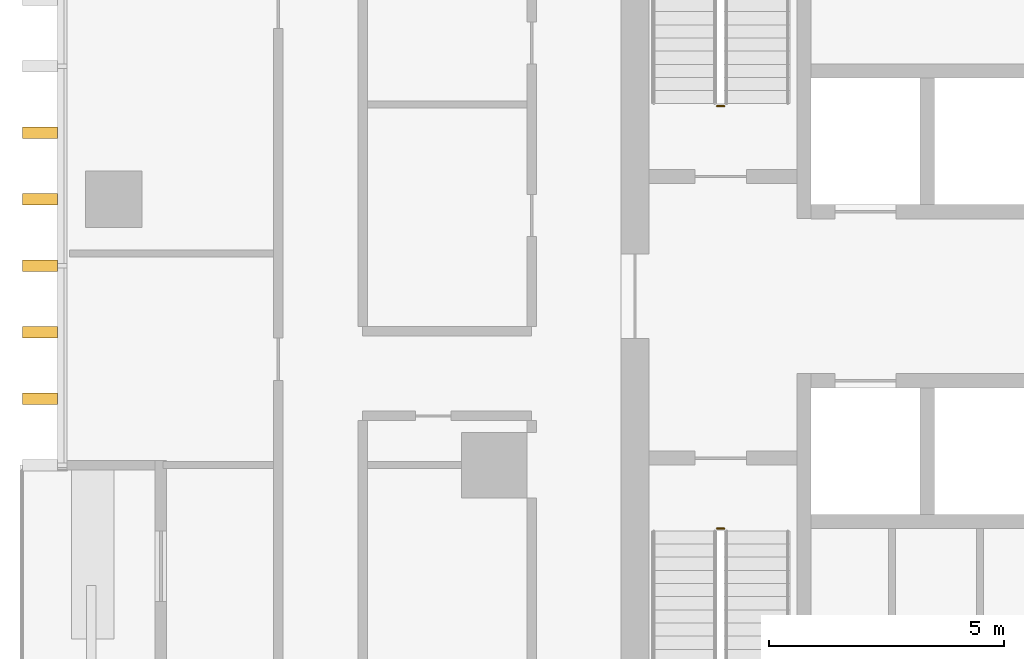
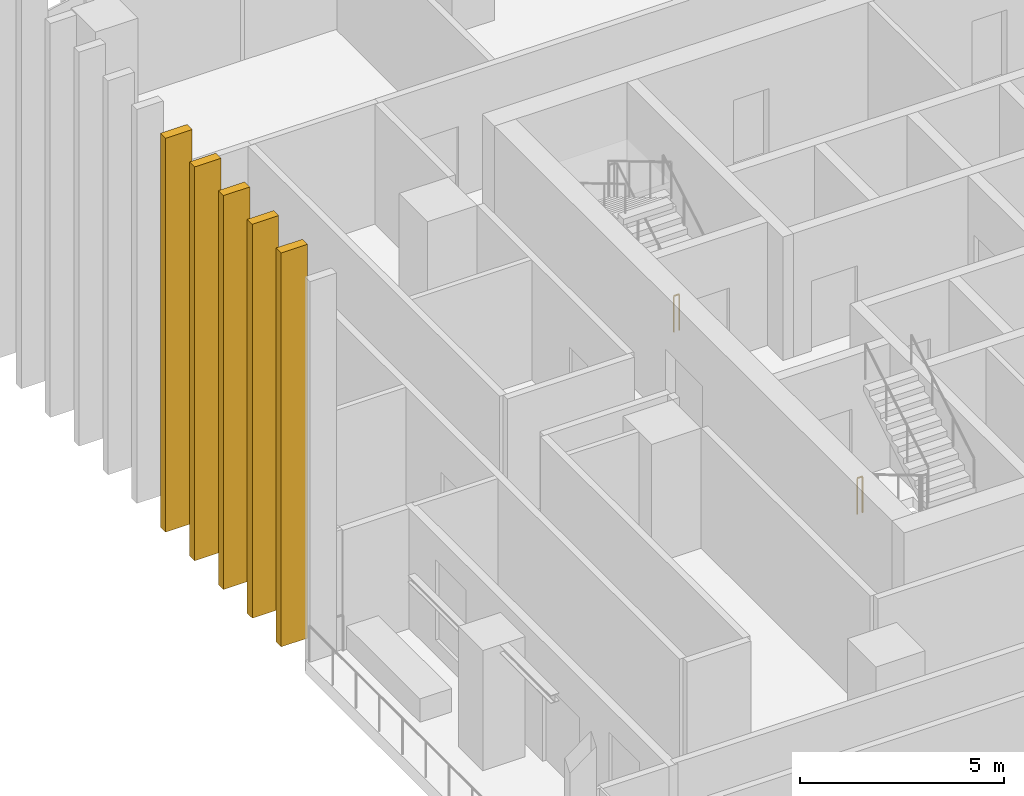
# One storey, part 13 of 16: 5 shading devices, 2 railings.
"""IFC4 building model written with IfcOpenShell, lengths in metres."""

from ifc_helpers import new_model, si_unit, direction, frame, origin, origin_2d, place, context, subcontext, project, spatial, rectangle, circle, extrude, material, type_object, element, save


model = new_model("IFC4")

# Units and contexts
model_context = context("Model", 3, precision=1e-05, world=origin(), true_north=direction((0.0, 1.0)))
body_context = subcontext(model_context, "Body", "Model", "MODEL_VIEW")
ifc_project = project(units=[si_unit("LENGTHUNIT", "METRE"), si_unit("AREAUNIT", "SQUARE_METRE"), si_unit("VOLUMEUNIT", "CUBIC_METRE"), si_unit("PLANEANGLEUNIT", "RADIAN"), si_unit("MASSUNIT", "GRAM", prefix="KILO")], contexts=[model_context])

# Site, building, storey
site_placement = place(None, origin())
site = spatial("IfcSite", under=ifc_project, at=site_placement, CompositionType="ELEMENT")
building_placement = place(site_placement, origin())
building = spatial("IfcBuilding", under=site, at=building_placement, Name="Mopane Tessera Tower", CompositionType="ELEMENT")
storey_placement = place(building_placement, frame((0.0, 0.0, 193.0)))
storey = spatial("IfcBuildingStorey", under=building, at=storey_placement, Name="L40", CompositionType="ELEMENT", Elevation=193.0)

# Shading devices
ifc_material_1 = material(Name="Glazed ceramic tile")
shading_device_type = type_object("IfcShadingDeviceType", Name="Ceramic tile fin 750 x 250 mm", PredefinedType="USERDEFINED", material=ifc_material_1)
for number, where, z_axis, x_axis, name in (
    (1, (-26.77490234375, 7.083251953125, -0.39990234375), (0.0, 0.0, 1.0), (0.0, -1.0, 0.0), "e:fin:L40:W:2:1"),
    (2, (-26.77490234375, 5.666748046875, -0.39990234375), (0.0, 0.0, 1.0), (0.0, -1.0, 0.0), "e:fin:L40:W:2:2"),
    (3, (-26.77490234375, 4.25, -0.39990234375), (0.0, 0.0, 1.0), (0.0, -1.0, 0.0), "e:fin:L40:W:3:0"),
    (4, (-26.77490234375, 2.833251953125, -0.39990234375), (0.0, 0.0, 1.0), (0.0, -1.0, 0.0), "e:fin:L40:W:3:1"),
    (5, (-26.77490234375, 1.416748046875, -0.39990234375), (0.0, 0.0, 1.0), (0.0, -1.0, 0.0), "e:fin:L40:W:3:2"),
):
    element("IfcShadingDevice", number, at=place(storey_placement, frame(where, z_axis=z_axis, x_axis=x_axis)), inside=storey, type_object=shading_device_type, Name=name, ObjectType="FIN", PredefinedType="USERDEFINED", context=body_context, shape_type="SweptSolid", body=[
        extrude(rectangle(XDim=0.25, YDim=0.75, at=origin_2d()), origin(), (0.0, 0.0, 1.0), 11.800048828125),
    ])

# Railings
ifc_material_2 = material(Name="Powder-coated steel balustrade", Category="steel")
railing_type = type_object("IfcRailingType", Name="Escape stair guard 1100 mm", PredefinedType="GUARDRAIL", material=ifc_material_2)
railing_1_placement = place(storey_placement, frame((-12.35009765625, -1.35009765625, 0.0)))
element("IfcRailing", 6, at=railing_1_placement, inside=storey, type_object=railing_type, Name="L40 ST1 stair guard 3", PredefinedType="GUARDRAIL", context=body_context, shape_type="SweptSolid", body=[
    extrude(circle(Radius=0.02392578125, at=origin_2d()), frame((0.0, 0.0, 1.076171875), z_axis=(1.0, 0.0, 0.0), x_axis=(0.0, 1.0, 0.0)), (0.0, 0.0, 1.0), 0.150146484375),
    extrude(circle(Radius=0.02099609375, at=origin_2d()), origin(), (0.0, 0.0, 1.0), 1.052001953125),
    extrude(circle(Radius=0.02099609375, at=origin_2d()), frame((0.150146484375, 0.0, 0.0)), (0.0, 0.0, 1.0), 1.052001953125),
])
railing_2_placement = place(storey_placement, frame((-12.199951171875, 7.64990234375, 0.0)))
element("IfcRailing", 7, at=railing_2_placement, inside=storey, type_object=railing_type, Name="L40 ST2 stair guard 3", PredefinedType="GUARDRAIL", context=body_context, shape_type="SweptSolid", body=[
    extrude(circle(Radius=0.02392578125, at=origin_2d()), frame((0.0, 0.0, 1.076171875), z_axis=(-1.0, 0.0, 0.0), x_axis=(0.0, -1.0, 0.0)), (0.0, 0.0, 1.0), 0.150146484375),
    extrude(circle(Radius=0.02099609375, at=origin_2d()), origin(), (0.0, 0.0, 1.0), 1.052001953125),
    extrude(circle(Radius=0.02099609375, at=origin_2d()), frame((-0.150146484375, 0.0, 0.0)), (0.0, 0.0, 1.0), 1.052001953125),
])

save(model, "model.ifc")
